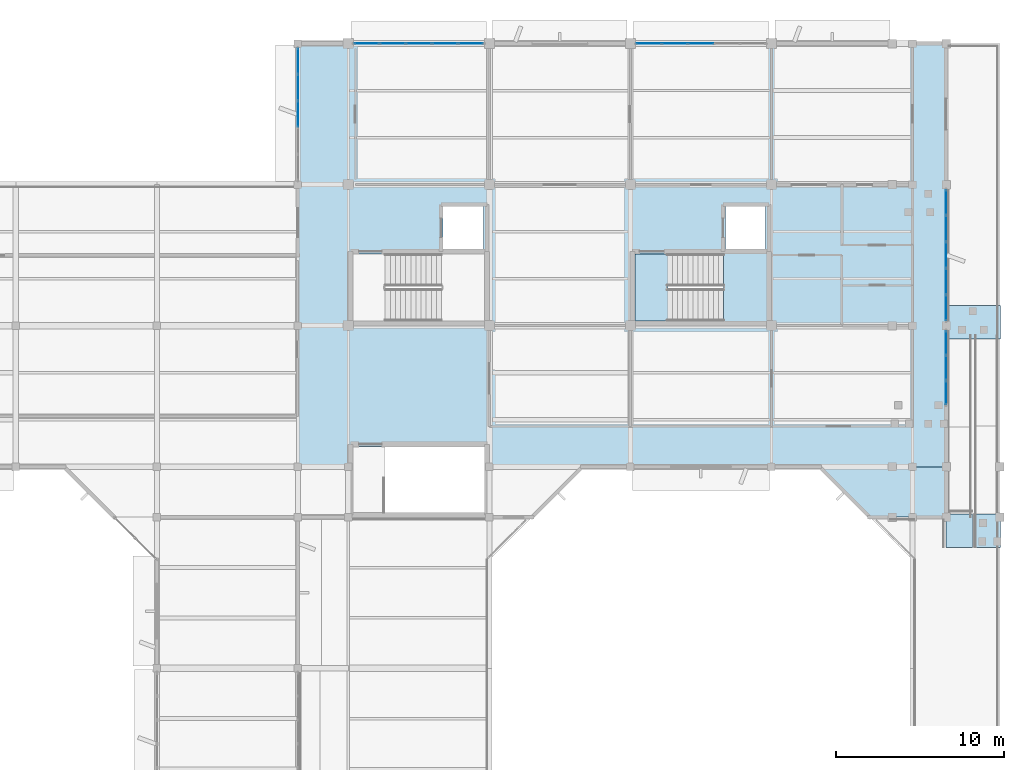
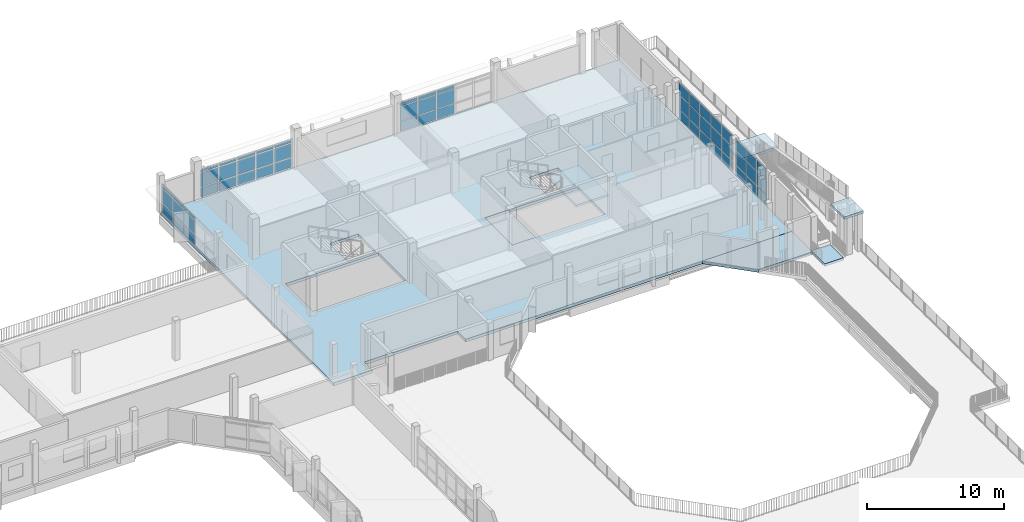
# One storey, part 20 of 42: 57 plates, 7 slabs, 7 elements without a shape of their own.
"""IFC4 building model written with IfcOpenShell, lengths in metres."""

from ifc_helpers import new_model, si_unit, direction, frame, origin, origin_2d, place, context, subcontext, project, spatial, polyline, rectangle, outline, extrude, material, layer, layer_set, type_object, element, aggregate, save


model = new_model("IFC4")

# Units and contexts
model_context = context("Model", 3, precision=1e-05, world=origin(), true_north=direction((0.0, 1.0)))
body_context = subcontext(model_context, "Body", "Model", "MODEL_VIEW")
ifc_project = project(units=[si_unit("LENGTHUNIT", "METRE"), si_unit("AREAUNIT", "SQUARE_METRE"), si_unit("VOLUMEUNIT", "CUBIC_METRE"), si_unit("PLANEANGLEUNIT", "RADIAN"), si_unit("MASSUNIT", "GRAM", prefix="KILO")], contexts=[model_context])

# Site, building, storey
site_placement = place(None, origin())
site = spatial("IfcSite", under=ifc_project, at=site_placement, CompositionType="ELEMENT")
building_placement = place(site_placement, origin())
building = spatial("IfcBuilding", under=site, at=building_placement, Name="Vanh Quang Courtyard School", CompositionType="ELEMENT")
storey_placement = place(building_placement, frame((0.0, 0.0, 15.0)))
storey = spatial("IfcBuildingStorey", under=building, at=storey_placement, Name="L04", CompositionType="ELEMENT", Elevation=15.0)

# Curtain wall, plates
ifc_material_1 = material(Name="Thermally broken aluminium unitised curtain wall", Category="aluminium")
curtain_wall_type_1 = type_object("IfcCurtainWallType", Name="CW-SYS-24", PredefinedType="NOTDEFINED", material=ifc_material_1)
curtain_wall_1_placement = place(storey_placement, origin())
curtain_wall_1 = element("IfcCurtainWall", 1, at=curtain_wall_1_placement, inside=storey, type_object=curtain_wall_type_1, Name="Curtain Wall CW-24 (L04)", PredefinedType="NOTDEFINED")
ifc_material_2 = material(Name="Low-E laminated double glazing", Category="glass")
ifc_layer_1 = layer(ifc_material_2, 0.028076171875)
ifc_layer_set_1 = layer_set([ifc_layer_1], Name="Low-E laminated double glazing")
plate_type_1 = type_object("IfcPlateType", Name="CW-PNL-28", PredefinedType="CURTAIN_PANEL", material=ifc_layer_set_1)
plate_1_placement = place(storey_placement, frame((78.50634765625, 96.60009765625, 0.080078125), z_axis=(0.0, 0.0, 1.0), x_axis=(1.0, 0.0, 0.0)))
plate_1 = element("IfcPlate", 2, at=plate_1_placement, type_object=plate_type_1, Name="CW-24 panel 1.1", PredefinedType="CURTAIN_PANEL", context=body_context, shape_type="SweptSolid", body=[
    extrude(rectangle(XDim=1.436767578125, YDim=0.028076171875, at=origin_2d()), origin(), (0.0, 0.0, 1.0), 0.830078125),
])
plate_2_placement = place(storey_placement, frame((78.50634765625, 96.60009765625, 0.990234375), z_axis=(0.0, 0.0, 1.0), x_axis=(1.0, 0.0, 0.0)))
plate_2 = element("IfcPlate", 3, at=plate_2_placement, type_object=plate_type_1, Name="CW-24 panel 1.2", PredefinedType="CURTAIN_PANEL", context=body_context, shape_type="SweptSolid", body=[
    extrude(rectangle(XDim=1.436767578125, YDim=0.028076171875, at=origin_2d()), origin(), (0.0, 0.0, 1.0), 1.219970703125),
])
plate_3_placement = place(storey_placement, frame((78.50634765625, 96.60009765625, 2.2900390625), z_axis=(0.0, 0.0, 1.0), x_axis=(1.0, 0.0, 0.0)))
plate_3 = element("IfcPlate", 4, at=plate_3_placement, type_object=plate_type_1, Name="CW-24 panel 1.3", PredefinedType="CURTAIN_PANEL", context=body_context, shape_type="SweptSolid", body=[
    extrude(rectangle(XDim=1.436767578125, YDim=0.028076171875, at=origin_2d()), origin(), (0.0, 0.0, 1.0), 0.2099609375),
])
plate_4_placement = place(storey_placement, frame((80.043212890625, 96.60009765625, 0.080078125), z_axis=(0.0, 0.0, 1.0), x_axis=(1.0, 0.0, 0.0)))
plate_4 = element("IfcPlate", 5, at=plate_4_placement, type_object=plate_type_1, Name="CW-24 panel 2.1", PredefinedType="CURTAIN_PANEL", context=body_context, shape_type="SweptSolid", body=[
    extrude(rectangle(XDim=1.476806640625, YDim=0.028076171875, at=origin_2d()), origin(), (0.0, 0.0, 1.0), 0.830078125),
])
plate_5_placement = place(storey_placement, frame((80.043212890625, 96.60009765625, 0.990234375), z_axis=(0.0, 0.0, 1.0), x_axis=(1.0, 0.0, 0.0)))
plate_5 = element("IfcPlate", 6, at=plate_5_placement, type_object=plate_type_1, Name="CW-24 panel 2.2", PredefinedType="CURTAIN_PANEL", context=body_context, shape_type="SweptSolid", body=[
    extrude(rectangle(XDim=1.476806640625, YDim=0.028076171875, at=origin_2d()), origin(), (0.0, 0.0, 1.0), 1.219970703125),
])
plate_6_placement = place(storey_placement, frame((80.043212890625, 96.60009765625, 2.2900390625), z_axis=(0.0, 0.0, 1.0), x_axis=(1.0, 0.0, 0.0)))
plate_6 = element("IfcPlate", 7, at=plate_6_placement, type_object=plate_type_1, Name="CW-24 panel 2.3", PredefinedType="CURTAIN_PANEL", context=body_context, shape_type="SweptSolid", body=[
    extrude(rectangle(XDim=1.476806640625, YDim=0.028076171875, at=origin_2d()), origin(), (0.0, 0.0, 1.0), 0.2099609375),
])
plate_7_placement = place(storey_placement, frame((81.60009765625, 96.60009765625, 0.080078125), z_axis=(0.0, 0.0, 1.0), x_axis=(1.0, 0.0, 0.0)))
plate_7 = element("IfcPlate", 8, at=plate_7_placement, type_object=plate_type_1, Name="CW-24 panel 3.1", PredefinedType="CURTAIN_PANEL", context=body_context, shape_type="SweptSolid", body=[
    extrude(rectangle(XDim=1.476806640625, YDim=0.028076171875, at=origin_2d()), origin(), (0.0, 0.0, 1.0), 0.830078125),
])
plate_8_placement = place(storey_placement, frame((81.60009765625, 96.60009765625, 0.990234375), z_axis=(0.0, 0.0, 1.0), x_axis=(1.0, 0.0, 0.0)))
plate_8 = element("IfcPlate", 9, at=plate_8_placement, type_object=plate_type_1, Name="CW-24 panel 3.2", PredefinedType="CURTAIN_PANEL", context=body_context, shape_type="SweptSolid", body=[
    extrude(rectangle(XDim=1.476806640625, YDim=0.028076171875, at=origin_2d()), origin(), (0.0, 0.0, 1.0), 1.219970703125),
])
plate_9_placement = place(storey_placement, frame((81.60009765625, 96.60009765625, 2.2900390625), z_axis=(0.0, 0.0, 1.0), x_axis=(1.0, 0.0, 0.0)))
plate_9 = element("IfcPlate", 10, at=plate_9_placement, type_object=plate_type_1, Name="CW-24 panel 3.3", PredefinedType="CURTAIN_PANEL", context=body_context, shape_type="SweptSolid", body=[
    extrude(rectangle(XDim=1.476806640625, YDim=0.028076171875, at=origin_2d()), origin(), (0.0, 0.0, 1.0), 0.2099609375),
])
plate_10_placement = place(storey_placement, frame((83.15673828125, 96.60009765625, 0.080078125), z_axis=(0.0, 0.0, 1.0), x_axis=(1.0, 0.0, 0.0)))
plate_10 = element("IfcPlate", 11, at=plate_10_placement, type_object=plate_type_1, Name="CW-24 panel 4.1", PredefinedType="CURTAIN_PANEL", context=body_context, shape_type="SweptSolid", body=[
    extrude(rectangle(XDim=1.476806640625, YDim=0.028076171875, at=origin_2d()), origin(), (0.0, 0.0, 1.0), 0.830078125),
])
plate_11_placement = place(storey_placement, frame((83.15673828125, 96.60009765625, 0.990234375), z_axis=(0.0, 0.0, 1.0), x_axis=(1.0, 0.0, 0.0)))
plate_11 = element("IfcPlate", 12, at=plate_11_placement, type_object=plate_type_1, Name="CW-24 panel 4.2", PredefinedType="CURTAIN_PANEL", context=body_context, shape_type="SweptSolid", body=[
    extrude(rectangle(XDim=1.476806640625, YDim=0.028076171875, at=origin_2d()), origin(), (0.0, 0.0, 1.0), 1.219970703125),
])
plate_12_placement = place(storey_placement, frame((83.15673828125, 96.60009765625, 2.2900390625), z_axis=(0.0, 0.0, 1.0), x_axis=(1.0, 0.0, 0.0)))
plate_12 = element("IfcPlate", 13, at=plate_12_placement, type_object=plate_type_1, Name="CW-24 panel 4.3", PredefinedType="CURTAIN_PANEL", context=body_context, shape_type="SweptSolid", body=[
    extrude(rectangle(XDim=1.476806640625, YDim=0.028076171875, at=origin_2d()), origin(), (0.0, 0.0, 1.0), 0.2099609375),
])
plate_13_placement = place(storey_placement, frame((84.693603515625, 96.60009765625, 0.080078125), z_axis=(0.0, 0.0, 1.0), x_axis=(1.0, 0.0, 0.0)))
plate_13 = element("IfcPlate", 14, at=plate_13_placement, type_object=plate_type_1, Name="CW-24 panel 5.1", PredefinedType="CURTAIN_PANEL", context=body_context, shape_type="SweptSolid", body=[
    extrude(rectangle(XDim=1.436767578125, YDim=0.028076171875, at=origin_2d()), origin(), (0.0, 0.0, 1.0), 0.830078125),
])
plate_14_placement = place(storey_placement, frame((84.693603515625, 96.60009765625, 0.990234375), z_axis=(0.0, 0.0, 1.0), x_axis=(1.0, 0.0, 0.0)))
plate_14 = element("IfcPlate", 15, at=plate_14_placement, type_object=plate_type_1, Name="CW-24 panel 5.2", PredefinedType="CURTAIN_PANEL", context=body_context, shape_type="SweptSolid", body=[
    extrude(rectangle(XDim=1.436767578125, YDim=0.028076171875, at=origin_2d()), origin(), (0.0, 0.0, 1.0), 1.219970703125),
])
plate_15_placement = place(storey_placement, frame((84.693603515625, 96.60009765625, 2.2900390625), z_axis=(0.0, 0.0, 1.0), x_axis=(1.0, 0.0, 0.0)))
plate_15 = element("IfcPlate", 16, at=plate_15_placement, type_object=plate_type_1, Name="CW-24 panel 5.3", PredefinedType="CURTAIN_PANEL", context=body_context, shape_type="SweptSolid", body=[
    extrude(rectangle(XDim=1.436767578125, YDim=0.028076171875, at=origin_2d()), origin(), (0.0, 0.0, 1.0), 0.2099609375),
])
aggregate(curtain_wall_1, [plate_1, plate_2, plate_3, plate_4, plate_5, plate_6, plate_7, plate_8, plate_9, plate_10, plate_11, plate_12, plate_13, plate_14, plate_15])

curtain_wall_type_2 = type_object("IfcCurtainWallType", Name="CW-SYS-64", PredefinedType="NOTDEFINED", material=ifc_material_1)
curtain_wall_2_placement = place(storey_placement, origin())
curtain_wall_2 = element("IfcCurtainWall", 17, at=curtain_wall_2_placement, inside=storey, type_object=curtain_wall_type_2, Name="Curtain Wall CW-64 (L04)", PredefinedType="NOTDEFINED")
plate_16_placement = place(storey_placement, frame((113.0, 87.135986328125, 0.06982421875), z_axis=(0.0, 0.0, 1.0), x_axis=(0.0, -1.0, 0.0)))
plate_16 = element("IfcPlate", 18, at=plate_16_placement, type_object=plate_type_1, Name="CW-64 panel 1.1", PredefinedType="CURTAIN_PANEL", context=body_context, shape_type="SweptSolid", body=[
    extrude(rectangle(XDim=1.4716796875, YDim=0.028076171875, at=origin_2d()), origin(), (0.0, 0.0, 1.0), 0.844970703125),
])
plate_17_placement = place(storey_placement, frame((113.0, 87.135986328125, 0.985107421875), z_axis=(0.0, 0.0, 1.0), x_axis=(0.0, -1.0, 0.0)))
plate_17 = element("IfcPlate", 19, at=plate_17_placement, type_object=plate_type_1, Name="CW-64 panel 1.2", PredefinedType="CURTAIN_PANEL", context=body_context, shape_type="SweptSolid", body=[
    extrude(rectangle(XDim=1.4716796875, YDim=0.028076171875, at=origin_2d()), origin(), (0.0, 0.0, 1.0), 1.22998046875),
])
plate_18_placement = place(storey_placement, frame((113.0, 87.135986328125, 2.284912109375), z_axis=(0.0, 0.0, 1.0), x_axis=(0.0, -1.0, 0.0)))
plate_18 = element("IfcPlate", 20, at=plate_18_placement, type_object=plate_type_1, Name="CW-64 panel 1.3", PredefinedType="CURTAIN_PANEL", context=body_context, shape_type="SweptSolid", body=[
    extrude(rectangle(XDim=1.4716796875, YDim=0.028076171875, at=origin_2d()), origin(), (0.0, 0.0, 1.0), 0.9951171875),
])
plate_19_placement = place(storey_placement, frame((113.0, 85.576904296875, 0.06982421875), z_axis=(0.0, 0.0, 1.0), x_axis=(0.0, -1.0, 0.0)))
plate_19 = element("IfcPlate", 21, at=plate_19_placement, type_object=plate_type_1, Name="CW-64 panel 2.1", PredefinedType="CURTAIN_PANEL", context=body_context, shape_type="SweptSolid", body=[
    extrude(rectangle(XDim=1.5068359375, YDim=0.028076171875, at=origin_2d()), origin(), (0.0, 0.0, 1.0), 0.844970703125),
])
plate_20_placement = place(storey_placement, frame((113.0, 85.576904296875, 0.985107421875), z_axis=(0.0, 0.0, 1.0), x_axis=(0.0, -1.0, 0.0)))
plate_20 = element("IfcPlate", 22, at=plate_20_placement, type_object=plate_type_1, Name="CW-64 panel 2.2", PredefinedType="CURTAIN_PANEL", context=body_context, shape_type="SweptSolid", body=[
    extrude(rectangle(XDim=1.5068359375, YDim=0.028076171875, at=origin_2d()), origin(), (0.0, 0.0, 1.0), 1.22998046875),
])
plate_21_placement = place(storey_placement, frame((113.0, 85.576904296875, 2.284912109375), z_axis=(0.0, 0.0, 1.0), x_axis=(0.0, -1.0, 0.0)))
plate_21 = element("IfcPlate", 23, at=plate_21_placement, type_object=plate_type_1, Name="CW-64 panel 2.3", PredefinedType="CURTAIN_PANEL", context=body_context, shape_type="SweptSolid", body=[
    extrude(rectangle(XDim=1.5068359375, YDim=0.028076171875, at=origin_2d()), origin(), (0.0, 0.0, 1.0), 0.9951171875),
])
plate_22_placement = place(storey_placement, frame((113.0, 84.0, 0.06982421875), z_axis=(0.0, 0.0, 1.0), x_axis=(0.0, -1.0, 0.0)))
plate_22 = element("IfcPlate", 24, at=plate_22_placement, type_object=plate_type_1, Name="CW-64 panel 3.1", PredefinedType="CURTAIN_PANEL", context=body_context, shape_type="SweptSolid", body=[
    extrude(rectangle(XDim=1.5068359375, YDim=0.028076171875, at=origin_2d()), origin(), (0.0, 0.0, 1.0), 0.844970703125),
])
plate_23_placement = place(storey_placement, frame((113.0, 84.0, 0.985107421875), z_axis=(0.0, 0.0, 1.0), x_axis=(0.0, -1.0, 0.0)))
plate_23 = element("IfcPlate", 25, at=plate_23_placement, type_object=plate_type_1, Name="CW-64 panel 3.2", PredefinedType="CURTAIN_PANEL", context=body_context, shape_type="SweptSolid", body=[
    extrude(rectangle(XDim=1.5068359375, YDim=0.028076171875, at=origin_2d()), origin(), (0.0, 0.0, 1.0), 1.22998046875),
])
plate_24_placement = place(storey_placement, frame((113.0, 84.0, 2.284912109375), z_axis=(0.0, 0.0, 1.0), x_axis=(0.0, -1.0, 0.0)))
plate_24 = element("IfcPlate", 26, at=plate_24_placement, type_object=plate_type_1, Name="CW-64 panel 3.3", PredefinedType="CURTAIN_PANEL", context=body_context, shape_type="SweptSolid", body=[
    extrude(rectangle(XDim=1.5068359375, YDim=0.028076171875, at=origin_2d()), origin(), (0.0, 0.0, 1.0), 0.9951171875),
])
plate_25_placement = place(storey_placement, frame((113.0, 82.423095703125, 0.06982421875), z_axis=(0.0, 0.0, 1.0), x_axis=(0.0, -1.0, 0.0)))
plate_25 = element("IfcPlate", 27, at=plate_25_placement, type_object=plate_type_1, Name="CW-64 panel 4.1", PredefinedType="CURTAIN_PANEL", context=body_context, shape_type="SweptSolid", body=[
    extrude(rectangle(XDim=1.5068359375, YDim=0.028076171875, at=origin_2d()), origin(), (0.0, 0.0, 1.0), 0.844970703125),
])
plate_26_placement = place(storey_placement, frame((113.0, 82.423095703125, 0.985107421875), z_axis=(0.0, 0.0, 1.0), x_axis=(0.0, -1.0, 0.0)))
plate_26 = element("IfcPlate", 28, at=plate_26_placement, type_object=plate_type_1, Name="CW-64 panel 4.2", PredefinedType="CURTAIN_PANEL", context=body_context, shape_type="SweptSolid", body=[
    extrude(rectangle(XDim=1.5068359375, YDim=0.028076171875, at=origin_2d()), origin(), (0.0, 0.0, 1.0), 1.22998046875),
])
plate_27_placement = place(storey_placement, frame((113.0, 82.423095703125, 2.284912109375), z_axis=(0.0, 0.0, 1.0), x_axis=(0.0, -1.0, 0.0)))
plate_27 = element("IfcPlate", 29, at=plate_27_placement, type_object=plate_type_1, Name="CW-64 panel 4.3", PredefinedType="CURTAIN_PANEL", context=body_context, shape_type="SweptSolid", body=[
    extrude(rectangle(XDim=1.5068359375, YDim=0.028076171875, at=origin_2d()), origin(), (0.0, 0.0, 1.0), 0.9951171875),
])
plate_28_placement = place(storey_placement, frame((113.0, 80.864013671875, 0.06982421875), z_axis=(0.0, 0.0, 1.0), x_axis=(0.0, -1.0, 0.0)))
plate_28 = element("IfcPlate", 30, at=plate_28_placement, type_object=plate_type_1, Name="CW-64 panel 5.1", PredefinedType="CURTAIN_PANEL", context=body_context, shape_type="SweptSolid", body=[
    extrude(rectangle(XDim=1.4716796875, YDim=0.028076171875, at=origin_2d()), origin(), (0.0, 0.0, 1.0), 0.844970703125),
])
plate_29_placement = place(storey_placement, frame((113.0, 80.864013671875, 0.985107421875), z_axis=(0.0, 0.0, 1.0), x_axis=(0.0, -1.0, 0.0)))
plate_29 = element("IfcPlate", 31, at=plate_29_placement, type_object=plate_type_1, Name="CW-64 panel 5.2", PredefinedType="CURTAIN_PANEL", context=body_context, shape_type="SweptSolid", body=[
    extrude(rectangle(XDim=1.4716796875, YDim=0.028076171875, at=origin_2d()), origin(), (0.0, 0.0, 1.0), 1.22998046875),
])
plate_30_placement = place(storey_placement, frame((113.0, 80.864013671875, 2.284912109375), z_axis=(0.0, 0.0, 1.0), x_axis=(0.0, -1.0, 0.0)))
plate_30 = element("IfcPlate", 32, at=plate_30_placement, type_object=plate_type_1, Name="CW-64 panel 5.3", PredefinedType="CURTAIN_PANEL", context=body_context, shape_type="SweptSolid", body=[
    extrude(rectangle(XDim=1.4716796875, YDim=0.028076171875, at=origin_2d()), origin(), (0.0, 0.0, 1.0), 0.9951171875),
])
aggregate(curtain_wall_2, [plate_16, plate_17, plate_18, plate_19, plate_20, plate_21, plate_22, plate_23, plate_24, plate_25, plate_26, plate_27, plate_28, plate_29, plate_30])

curtain_wall_type_3 = type_object("IfcCurtainWallType", Name="CW-SYS-19", PredefinedType="NOTDEFINED", material=ifc_material_1)
curtain_wall_3_placement = place(storey_placement, origin())
curtain_wall_3 = element("IfcCurtainWall", 33, at=curtain_wall_3_placement, inside=storey, type_object=curtain_wall_type_3, Name="Curtain Wall CW-19 (L04)", PredefinedType="NOTDEFINED")
ifc_layer_2 = layer(ifc_material_2, 0.031982421875)
ifc_layer_set_2 = layer_set([ifc_layer_2], Name="Low-E laminated double glazing")
plate_type_2 = type_object("IfcPlateType", Name="CW-PNL-32", PredefinedType="CURTAIN_PANEL", material=ifc_layer_set_2)
plate_31_placement = place(storey_placement, frame((74.39990234375, 92.39990234375, 0.06982421875), z_axis=(0.0, 0.0, 1.0), x_axis=(0.0, 1.0, 0.0)))
plate_31 = element("IfcPlate", 34, at=plate_31_placement, type_object=plate_type_2, Name="CW-19 panel 3.1", PredefinedType="CURTAIN_PANEL", context=body_context, shape_type="SweptSolid", body=[
    extrude(rectangle(XDim=1.516845703125, YDim=0.031982421875, at=origin_2d()), origin(), (0.0, 0.0, 1.0), 0.844970703125),
])
plate_32_placement = place(storey_placement, frame((74.39990234375, 92.39990234375, 0.985107421875), z_axis=(0.0, 0.0, 1.0), x_axis=(0.0, 1.0, 0.0)))
plate_32 = element("IfcPlate", 35, at=plate_32_placement, type_object=plate_type_2, Name="CW-19 panel 3.2", PredefinedType="CURTAIN_PANEL", context=body_context, shape_type="SweptSolid", body=[
    extrude(rectangle(XDim=1.516845703125, YDim=0.031982421875, at=origin_2d()), origin(), (0.0, 0.0, 1.0), 1.22998046875),
])
plate_33_placement = place(storey_placement, frame((74.39990234375, 92.39990234375, 2.284912109375), z_axis=(0.0, 0.0, 1.0), x_axis=(0.0, 1.0, 0.0)))
plate_33 = element("IfcPlate", 36, at=plate_33_placement, type_object=plate_type_2, Name="CW-19 panel 3.3", PredefinedType="CURTAIN_PANEL", context=body_context, shape_type="SweptSolid", body=[
    extrude(rectangle(XDim=1.516845703125, YDim=0.031982421875, at=origin_2d()), origin(), (0.0, 0.0, 1.0), 0.22509765625),
])
plate_34_placement = place(storey_placement, frame((74.39990234375, 93.98681640625, 0.06982421875), z_axis=(0.0, 0.0, 1.0), x_axis=(0.0, 1.0, 0.0)))
plate_34 = element("IfcPlate", 37, at=plate_34_placement, type_object=plate_type_2, Name="CW-19 panel 4.1", PredefinedType="CURTAIN_PANEL", context=body_context, shape_type="SweptSolid", body=[
    extrude(rectangle(XDim=1.516845703125, YDim=0.031982421875, at=origin_2d()), origin(), (0.0, 0.0, 1.0), 0.844970703125),
])
plate_35_placement = place(storey_placement, frame((74.39990234375, 93.98681640625, 0.985107421875), z_axis=(0.0, 0.0, 1.0), x_axis=(0.0, 1.0, 0.0)))
plate_35 = element("IfcPlate", 38, at=plate_35_placement, type_object=plate_type_2, Name="CW-19 panel 4.2", PredefinedType="CURTAIN_PANEL", context=body_context, shape_type="SweptSolid", body=[
    extrude(rectangle(XDim=1.516845703125, YDim=0.031982421875, at=origin_2d()), origin(), (0.0, 0.0, 1.0), 1.22998046875),
])
plate_36_placement = place(storey_placement, frame((74.39990234375, 93.98681640625, 2.284912109375), z_axis=(0.0, 0.0, 1.0), x_axis=(0.0, 1.0, 0.0)))
plate_36 = element("IfcPlate", 39, at=plate_36_placement, type_object=plate_type_2, Name="CW-19 panel 4.3", PredefinedType="CURTAIN_PANEL", context=body_context, shape_type="SweptSolid", body=[
    extrude(rectangle(XDim=1.516845703125, YDim=0.031982421875, at=origin_2d()), origin(), (0.0, 0.0, 1.0), 0.22509765625),
])
plate_37_placement = place(storey_placement, frame((74.39990234375, 95.55615234375, 0.06982421875), z_axis=(0.0, 0.0, 1.0), x_axis=(0.0, 1.0, 0.0)))
plate_37 = element("IfcPlate", 40, at=plate_37_placement, type_object=plate_type_2, Name="CW-19 panel 5.1", PredefinedType="CURTAIN_PANEL", context=body_context, shape_type="SweptSolid", body=[
    extrude(rectangle(XDim=1.481689453125, YDim=0.031982421875, at=origin_2d()), origin(), (0.0, 0.0, 1.0), 0.844970703125),
])
plate_38_placement = place(storey_placement, frame((74.39990234375, 95.55615234375, 0.985107421875), z_axis=(0.0, 0.0, 1.0), x_axis=(0.0, 1.0, 0.0)))
plate_38 = element("IfcPlate", 41, at=plate_38_placement, type_object=plate_type_2, Name="CW-19 panel 5.2", PredefinedType="CURTAIN_PANEL", context=body_context, shape_type="SweptSolid", body=[
    extrude(rectangle(XDim=1.481689453125, YDim=0.031982421875, at=origin_2d()), origin(), (0.0, 0.0, 1.0), 1.22998046875),
])
plate_39_placement = place(storey_placement, frame((74.39990234375, 95.55615234375, 2.284912109375), z_axis=(0.0, 0.0, 1.0), x_axis=(0.0, 1.0, 0.0)))
plate_39 = element("IfcPlate", 42, at=plate_39_placement, type_object=plate_type_2, Name="CW-19 panel 5.3", PredefinedType="CURTAIN_PANEL", context=body_context, shape_type="SweptSolid", body=[
    extrude(rectangle(XDim=1.481689453125, YDim=0.031982421875, at=origin_2d()), origin(), (0.0, 0.0, 1.0), 0.22509765625),
])
aggregate(curtain_wall_3, [plate_31, plate_32, plate_33, plate_34, plate_35, plate_36, plate_37, plate_38, plate_39])

curtain_wall_4_placement = place(storey_placement, origin())
curtain_wall_4 = element("IfcCurtainWall", 43, at=curtain_wall_4_placement, inside=storey, type_object=curtain_wall_type_1, Name="Curtain Wall CW-24 (L04)", PredefinedType="NOTDEFINED")
plate_40_placement = place(storey_placement, frame((95.301513671875, 96.60009765625, 0.06005859375), z_axis=(0.0, 0.0, 1.0), x_axis=(1.0, 0.0, 0.0)))
plate_40 = element("IfcPlate", 44, at=plate_40_placement, type_object=plate_type_2, Name="CW-24 panel 1.1", PredefinedType="CURTAIN_PANEL", context=body_context, shape_type="SweptSolid", body=[
    extrude(rectangle(XDim=1.466796875, YDim=0.031982421875, at=origin_2d()), origin(), (0.0, 0.0, 1.0), 0.860107421875),
])
plate_41_placement = place(storey_placement, frame((95.301513671875, 96.60009765625, 0.97998046875), z_axis=(0.0, 0.0, 1.0), x_axis=(1.0, 0.0, 0.0)))
plate_41 = element("IfcPlate", 45, at=plate_41_placement, type_object=plate_type_2, Name="CW-24 panel 1.2", PredefinedType="CURTAIN_PANEL", context=body_context, shape_type="SweptSolid", body=[
    extrude(rectangle(XDim=1.466796875, YDim=0.031982421875, at=origin_2d()), origin(), (0.0, 0.0, 1.0), 1.239990234375),
])
plate_42_placement = place(storey_placement, frame((95.301513671875, 96.60009765625, 2.280029296875), z_axis=(0.0, 0.0, 1.0), x_axis=(1.0, 0.0, 0.0)))
plate_42 = element("IfcPlate", 46, at=plate_42_placement, type_object=plate_type_2, Name="CW-24 panel 1.3", PredefinedType="CURTAIN_PANEL", context=body_context, shape_type="SweptSolid", body=[
    extrude(rectangle(XDim=1.466796875, YDim=0.031982421875, at=origin_2d()), origin(), (0.0, 0.0, 1.0), 0.31005859375),
])
plate_43_placement = place(storey_placement, frame((96.84326171875, 96.60009765625, 0.06005859375), z_axis=(0.0, 0.0, 1.0), x_axis=(1.0, 0.0, 0.0)))
plate_43 = element("IfcPlate", 47, at=plate_43_placement, type_object=plate_type_2, Name="CW-24 panel 2.1", PredefinedType="CURTAIN_PANEL", context=body_context, shape_type="SweptSolid", body=[
    extrude(rectangle(XDim=1.496826171875, YDim=0.031982421875, at=origin_2d()), origin(), (0.0, 0.0, 1.0), 0.860107421875),
])
plate_44_placement = place(storey_placement, frame((96.84326171875, 96.60009765625, 0.97998046875), z_axis=(0.0, 0.0, 1.0), x_axis=(1.0, 0.0, 0.0)))
plate_44 = element("IfcPlate", 48, at=plate_44_placement, type_object=plate_type_2, Name="CW-24 panel 2.2", PredefinedType="CURTAIN_PANEL", context=body_context, shape_type="SweptSolid", body=[
    extrude(rectangle(XDim=1.496826171875, YDim=0.031982421875, at=origin_2d()), origin(), (0.0, 0.0, 1.0), 1.239990234375),
])
plate_45_placement = place(storey_placement, frame((96.84326171875, 96.60009765625, 2.280029296875), z_axis=(0.0, 0.0, 1.0), x_axis=(1.0, 0.0, 0.0)))
plate_45 = element("IfcPlate", 49, at=plate_45_placement, type_object=plate_type_2, Name="CW-24 panel 2.3", PredefinedType="CURTAIN_PANEL", context=body_context, shape_type="SweptSolid", body=[
    extrude(rectangle(XDim=1.496826171875, YDim=0.031982421875, at=origin_2d()), origin(), (0.0, 0.0, 1.0), 0.31005859375),
])
plate_46_placement = place(storey_placement, frame((98.39990234375, 96.60009765625, 0.06005859375), z_axis=(0.0, 0.0, 1.0), x_axis=(1.0, 0.0, 0.0)))
plate_46 = element("IfcPlate", 50, at=plate_46_placement, type_object=plate_type_2, Name="CW-24 panel 3.1", PredefinedType="CURTAIN_PANEL", context=body_context, shape_type="SweptSolid", body=[
    extrude(rectangle(XDim=1.496826171875, YDim=0.031982421875, at=origin_2d()), origin(), (0.0, 0.0, 1.0), 0.860107421875),
])
plate_47_placement = place(storey_placement, frame((98.39990234375, 96.60009765625, 0.97998046875), z_axis=(0.0, 0.0, 1.0), x_axis=(1.0, 0.0, 0.0)))
plate_47 = element("IfcPlate", 51, at=plate_47_placement, type_object=plate_type_2, Name="CW-24 panel 3.2", PredefinedType="CURTAIN_PANEL", context=body_context, shape_type="SweptSolid", body=[
    extrude(rectangle(XDim=1.496826171875, YDim=0.031982421875, at=origin_2d()), origin(), (0.0, 0.0, 1.0), 1.239990234375),
])
plate_48_placement = place(storey_placement, frame((98.39990234375, 96.60009765625, 2.280029296875), z_axis=(0.0, 0.0, 1.0), x_axis=(1.0, 0.0, 0.0)))
plate_48 = element("IfcPlate", 52, at=plate_48_placement, type_object=plate_type_2, Name="CW-24 panel 3.3", PredefinedType="CURTAIN_PANEL", context=body_context, shape_type="SweptSolid", body=[
    extrude(rectangle(XDim=1.496826171875, YDim=0.031982421875, at=origin_2d()), origin(), (0.0, 0.0, 1.0), 0.31005859375),
])
aggregate(curtain_wall_4, [plate_40, plate_41, plate_42, plate_43, plate_44, plate_45, plate_46, plate_47, plate_48])

curtain_wall_type_4 = type_object("IfcCurtainWallType", Name="CW-SYS-65", PredefinedType="NOTDEFINED", material=ifc_material_1)
curtain_wall_5_placement = place(storey_placement, origin())
curtain_wall_5 = element("IfcCurtainWall", 53, at=curtain_wall_5_placement, inside=storey, type_object=curtain_wall_type_4, Name="Curtain Wall CW-65 (L04)", PredefinedType="NOTDEFINED")
plate_49_placement = place(storey_placement, frame((113.0, 78.7734375, 0.080078125), z_axis=(0.0, 0.0, 1.0), x_axis=(0.0, -1.0, 0.0)))
plate_49 = element("IfcPlate", 54, at=plate_49_placement, type_object=plate_type_2, Name="CW-65 panel 1.1", PredefinedType="CURTAIN_PANEL", context=body_context, shape_type="SweptSolid", body=[
    extrude(rectangle(XDim=1.37744140625, YDim=0.031982421875, at=origin_2d()), origin(), (0.0, 0.0, 1.0), 0.830078125),
])
plate_50_placement = place(storey_placement, frame((113.0, 78.7734375, 0.990234375), z_axis=(0.0, 0.0, 1.0), x_axis=(0.0, -1.0, 0.0)))
plate_50 = element("IfcPlate", 55, at=plate_50_placement, type_object=plate_type_2, Name="CW-65 panel 1.2", PredefinedType="CURTAIN_PANEL", context=body_context, shape_type="SweptSolid", body=[
    extrude(rectangle(XDim=1.37744140625, YDim=0.031982421875, at=origin_2d()), origin(), (0.0, 0.0, 1.0), 1.219970703125),
])
plate_51_placement = place(storey_placement, frame((113.0, 78.7734375, 2.2900390625), z_axis=(0.0, 0.0, 1.0), x_axis=(0.0, -1.0, 0.0)))
plate_51 = element("IfcPlate", 56, at=plate_51_placement, type_object=plate_type_2, Name="CW-65 panel 1.3", PredefinedType="CURTAIN_PANEL", context=body_context, shape_type="SweptSolid", body=[
    extrude(rectangle(XDim=1.37744140625, YDim=0.031982421875, at=origin_2d()), origin(), (0.0, 0.0, 1.0), 0.97998046875),
])
plate_52_placement = place(storey_placement, frame((113.0, 77.2958984375, 0.080078125), z_axis=(0.0, 0.0, 1.0), x_axis=(0.0, -1.0, 0.0)))
plate_52 = element("IfcPlate", 57, at=plate_52_placement, type_object=plate_type_2, Name="CW-65 panel 2.1", PredefinedType="CURTAIN_PANEL", context=body_context, shape_type="SweptSolid", body=[
    extrude(rectangle(XDim=1.417236328125, YDim=0.031982421875, at=origin_2d()), origin(), (0.0, 0.0, 1.0), 0.830078125),
])
plate_53_placement = place(storey_placement, frame((113.0, 77.2958984375, 0.990234375), z_axis=(0.0, 0.0, 1.0), x_axis=(0.0, -1.0, 0.0)))
plate_53 = element("IfcPlate", 58, at=plate_53_placement, type_object=plate_type_2, Name="CW-65 panel 2.2", PredefinedType="CURTAIN_PANEL", context=body_context, shape_type="SweptSolid", body=[
    extrude(rectangle(XDim=1.417236328125, YDim=0.031982421875, at=origin_2d()), origin(), (0.0, 0.0, 1.0), 1.219970703125),
])
plate_54_placement = place(storey_placement, frame((113.0, 77.2958984375, 2.2900390625), z_axis=(0.0, 0.0, 1.0), x_axis=(0.0, -1.0, 0.0)))
plate_54 = element("IfcPlate", 59, at=plate_54_placement, type_object=plate_type_2, Name="CW-65 panel 2.3", PredefinedType="CURTAIN_PANEL", context=body_context, shape_type="SweptSolid", body=[
    extrude(rectangle(XDim=1.417236328125, YDim=0.031982421875, at=origin_2d()), origin(), (0.0, 0.0, 1.0), 0.97998046875),
])
plate_55_placement = place(storey_placement, frame((113.0, 75.818603515625, 0.080078125), z_axis=(0.0, 0.0, 1.0), x_axis=(0.0, -1.0, 0.0)))
plate_55 = element("IfcPlate", 60, at=plate_55_placement, type_object=plate_type_2, Name="CW-65 panel 3.1", PredefinedType="CURTAIN_PANEL", context=body_context, shape_type="SweptSolid", body=[
    extrude(rectangle(XDim=1.37744140625, YDim=0.031982421875, at=origin_2d()), origin(), (0.0, 0.0, 1.0), 0.830078125),
])
plate_56_placement = place(storey_placement, frame((113.0, 75.818603515625, 0.990234375), z_axis=(0.0, 0.0, 1.0), x_axis=(0.0, -1.0, 0.0)))
plate_56 = element("IfcPlate", 61, at=plate_56_placement, type_object=plate_type_2, Name="CW-65 panel 3.2", PredefinedType="CURTAIN_PANEL", context=body_context, shape_type="SweptSolid", body=[
    extrude(rectangle(XDim=1.37744140625, YDim=0.031982421875, at=origin_2d()), origin(), (0.0, 0.0, 1.0), 1.219970703125),
])
plate_57_placement = place(storey_placement, frame((113.0, 75.818603515625, 2.2900390625), z_axis=(0.0, 0.0, 1.0), x_axis=(0.0, -1.0, 0.0)))
plate_57 = element("IfcPlate", 62, at=plate_57_placement, type_object=plate_type_2, Name="CW-65 panel 3.3", PredefinedType="CURTAIN_PANEL", context=body_context, shape_type="SweptSolid", body=[
    extrude(rectangle(XDim=1.37744140625, YDim=0.031982421875, at=origin_2d()), origin(), (0.0, 0.0, 1.0), 0.97998046875),
])
aggregate(curtain_wall_5, [plate_49, plate_50, plate_51, plate_52, plate_53, plate_54, plate_55, plate_56, plate_57])

# Slabs
ifc_material_3 = material(Name="Concrete C30/37", Category="concrete")
ifc_layer_3 = layer(ifc_material_3, 0.260009765625)
ifc_layer_set_3 = layer_set([ifc_layer_3], Name="Concrete C30/37")
slab_type_1 = type_object("IfcSlabType", Name="SLB-FLR-260", PredefinedType="FLOOR", material=ifc_layer_set_3)
slab_1_placement = place(storey_placement, frame((0.0, 0.0, -0.260009765625)))
element("IfcSlab", 63, at=slab_1_placement, inside=storey, type_object=slab_type_1, Name="Slab SF-03 (L04)", PredefinedType="FLOOR", context=body_context, shape_type="SweptSolid", body=[
    extrude(outline(polyline([(113.0, 71.39990234375), (105.4560546875, 71.39990234375), (108.4560546875, 68.39990234375), (112.985107421875, 68.39990234375), (112.985107421875, 68.6015625), (112.989501953125, 68.610595703125), (113.0, 68.614990234375), (113.0, 71.39990234375)])), origin(), (0.0, 0.0, 1.0), 0.260009765625),
])
slab_2_placement = place(storey_placement, frame((0.0, 0.0, -0.260009765625)))
element("IfcSlab", 64, at=slab_2_placement, inside=storey, type_object=slab_type_1, Name="Slab SF-03 (L04)", PredefinedType="FLOOR", context=body_context, shape_type="SweptSolid", body=[
    extrude(outline(polyline([(113.0, 96.60009765625), (74.39990234375, 96.60009765625), (74.39990234375, 71.39990234375), (77.679931640625, 71.39990234375), (77.679931640625, 72.60009765625), (85.52001953125, 72.60009765625), (85.52001953125, 71.39990234375), (113.0, 71.39990234375), (113.0, 96.60009765625)]), holes=[polyline([(85.52001953125, 84.080078125), (85.52001953125, 80.080078125), (77.679931640625, 80.080078125), (77.679931640625, 84.080078125), (85.52001953125, 84.080078125)]), polyline([(102.320068359375, 84.080078125), (102.320068359375, 80.080078125), (94.47998046875, 80.080078125), (94.47998046875, 84.080078125), (102.320068359375, 84.080078125)]), polyline([(85.449951171875, 84.360107421875), (83.050048828125, 84.360107421875), (83.050048828125, 86.909912109375), (85.449951171875, 86.909912109375), (85.449951171875, 84.360107421875)]), polyline([(102.25, 84.360107421875), (99.85009765625, 84.360107421875), (99.85009765625, 86.909912109375), (102.25, 86.909912109375), (102.25, 84.360107421875)])]), origin(), (0.0, 0.0, 1.0), 0.260009765625),
])
ifc_layer_4 = layer(ifc_material_3, 0.280029296875)
ifc_layer_set_4 = layer_set([ifc_layer_4], Name="Concrete C30/37")
slab_type_2 = type_object("IfcSlabType", Name="SLB-FLR-280", PredefinedType="FLOOR", material=ifc_layer_set_4)
slab_3_placement = place(storey_placement, frame((0.0, 0.0, -0.280029296875)))
element("IfcSlab", 65, at=slab_3_placement, inside=storey, type_object=slab_type_2, Name="Slab SF-02 (L04)", PredefinedType="FLOOR", context=body_context, shape_type="SweptSolid", body=[
    extrude(outline(polyline([(96.429931640625, 80.080078125), (94.47998046875, 80.080078125), (94.47998046875, 84.080078125), (96.429931640625, 84.080078125), (96.429931640625, 80.080078125)])), origin(), (0.0, 0.0, 1.0), 0.280029296875),
])

# Stair, slab
stair_type = type_object("IfcStairType", Name="STR-CORE-1920", PredefinedType="HALF_TURN_STAIR", material=ifc_material_3)
stair_placement = place(storey_placement, origin())
stair = element("IfcStair", 66, at=stair_placement, inside=storey, type_object=stair_type, Name="L04 ST-02", PredefinedType="HALF_TURN_STAIR")
ifc_layer_5 = layer(ifc_material_3, 0.199951171875)
ifc_layer_set_5 = layer_set([ifc_layer_5], Name="Concrete C30/37")
slab_type_3 = type_object("IfcSlabType", Name="SLB-LND-200", PredefinedType="LANDING", material=ifc_layer_set_5)
slab_4_placement = place(storey_placement, frame((0.0, 0.0, 1.60009765625)))
slab_4 = element("IfcSlab", 67, at=slab_4_placement, type_object=slab_type_3, Name="ST-02 landing 1", PredefinedType="LANDING", context=body_context, shape_type="SweptSolid", body=[
    extrude(outline(polyline([(99.7548828125, 79.919921875), (102.47998046875, 79.919921875), (102.47998046875, 84.239990234375), (99.7548828125, 84.239990234375), (99.7548828125, 79.919921875)])), origin(), (0.0, 0.0, 1.0), 0.199951171875),
])
aggregate(stair, [slab_4])

# Ramp, slabs
ramp_type = type_object("IfcRampType", Name="RAMP-ACC-1400", PredefinedType="TWO_STRAIGHT_RUN_RAMP", material=ifc_material_3)
ramp_placement = place(storey_placement, origin())
ramp = element("IfcRamp", 68, at=ramp_placement, inside=storey, type_object=ramp_type, Name="Ramp RMP-05 (L04)", PredefinedType="TWO_STRAIGHT_RUN_RAMP")
ifc_layer_6 = layer(ifc_material_3, 0.219970703125)
ifc_layer_set_6 = layer_set([ifc_layer_6], Name="Concrete C30/37")
slab_type_4 = type_object("IfcSlabType", Name="SLB-RMPLND-220", PredefinedType="LANDING", material=ifc_layer_set_6)
slab_5_placement = place(storey_placement, frame((0.0, 0.0, -0.219970703125)))
slab_5 = element("IfcSlab", 69, at=slab_5_placement, type_object=slab_type_4, Name="Slab SL-RMP (L04)", PredefinedType="LANDING", context=body_context, shape_type="SweptSolid", body=[
    extrude(outline(polyline([(114.580078125, 66.60009765625), (114.580078125, 68.60009765625), (113.0, 68.60009765625), (113.0, 66.60009765625), (114.580078125, 66.60009765625)])), origin(), (0.0, 0.0, 1.0), 0.219970703125),
])
slab_6_placement = place(storey_placement, frame((0.0, 0.0, 1.580078125)))
slab_6 = element("IfcSlab", 70, at=slab_6_placement, type_object=slab_type_4, Name="Slab SL-RMP (L04)", PredefinedType="LANDING", context=body_context, shape_type="SweptSolid", body=[
    extrude(outline(polyline([(116.239990234375, 79.0), (116.239990234375, 81.0), (113.0, 81.0), (113.0, 79.0), (116.239990234375, 79.0)])), origin(), (0.0, 0.0, 1.0), 0.219970703125),
])
slab_7_placement = place(storey_placement, frame((0.0, 0.0, 3.3798828125)))
slab_7 = element("IfcSlab", 71, at=slab_7_placement, type_object=slab_type_4, Name="Slab SL-RMP (L04)", PredefinedType="LANDING", context=body_context, shape_type="SweptSolid", body=[
    extrude(outline(polyline([(116.239990234375, 66.60009765625), (116.239990234375, 68.60009765625), (114.6201171875, 68.60009765625), (114.6201171875, 66.60009765625), (116.239990234375, 66.60009765625)])), origin(), (0.0, 0.0, 1.0), 0.22021484375),
])
aggregate(ramp, [slab_5, slab_6, slab_7])

save(model, "model.ifc")
